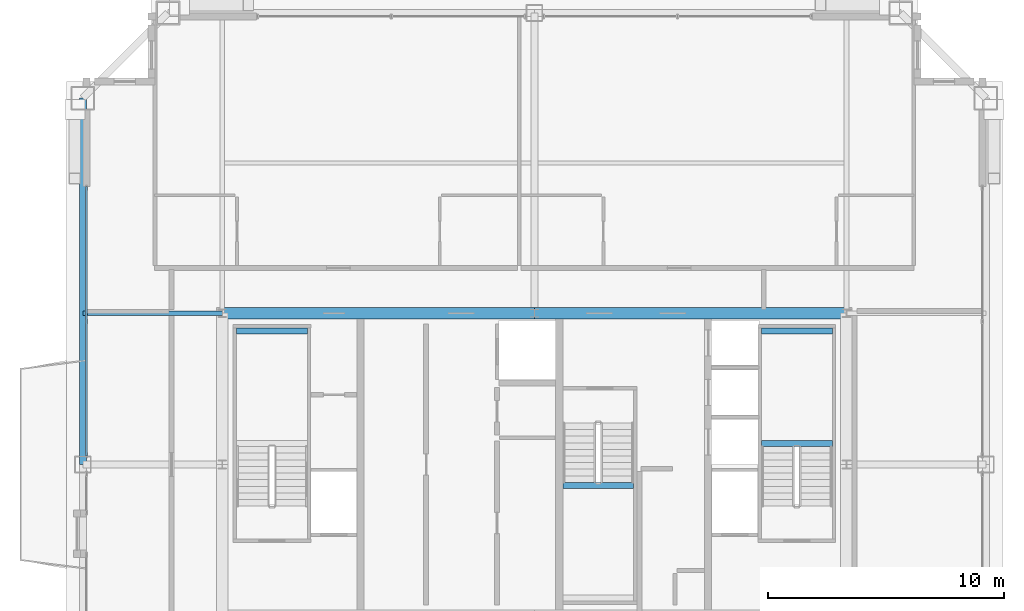
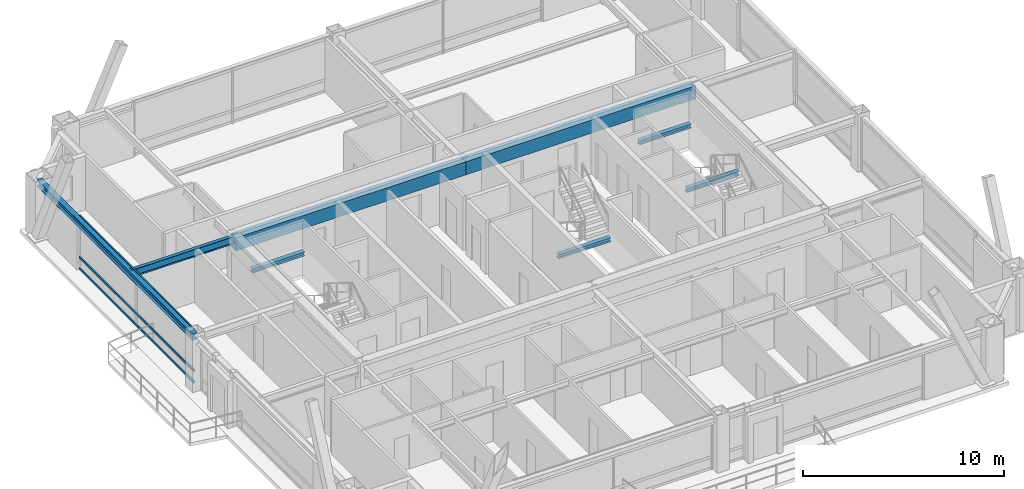
# One storey, part 10 of 33: 8 beams, 3 members, 1 element without a shape of its own.
"""IFC4 building model written with IfcOpenShell, lengths in metres."""

import ifcopenshell
import ifcopenshell.guid

model = None  # the IFC model being written
_history = None  # IfcOwnerHistory: only IFC2X3 demands one
_inside = {}  # id of a spatial element -> (the spatial element, [elements in it])
_under = {}  # id of a project, library or spatial element -> (it, [spatial elements below it])
_declared = {}  # id of a project -> (the project, [libraries it declares])
_typed = {}  # id of a type object -> (the type object, [elements of that type])
_made_of = {}  # id of a material, layer set ... -> (it, [elements and type objects made of it])


def new_model(schema):
    """Start an empty IFC model of exactly this schema.

    Asked for "IFC4X3", IfcOpenShell would pick the latest addendum, in which some entities
    have other attributes; the version numbers below select the first issue.
    IFC2X3 requires an IfcOwnerHistory on every rooted entity: one is made here for all.
    """
    global model, _history
    if schema == "IFC4X3":
        model = ifcopenshell.file(schema_version=(4, 3, 0, 0))
    else:
        model = ifcopenshell.file(schema=schema)
    _inside.clear()
    _under.clear()
    _declared.clear()
    _typed.clear()
    _made_of.clear()
    _history = None
    if model.schema == "IFC2X3":
        org = make("IfcOrganization", Name="unknown")
        user = make(
            "IfcPersonAndOrganization",
            ThePerson=make("IfcPerson", FamilyName="unknown"),
            TheOrganization=org,
        )
        app = make(
            "IfcApplication",
            ApplicationDeveloper=org,
            Version="unknown",
            ApplicationFullName="unknown",
            ApplicationIdentifier="unknown",
        )
        _history = make(
            "IfcOwnerHistory",
            OwningUser=user,
            OwningApplication=app,
            ChangeAction="ADDED",
            CreationDate=0,
        )
    return model


def make(cls, **values):
    """One entity of the class cls with the attributes given. An attribute that is None is left unset."""
    return model.create_entity(
        cls, **{name: value for name, value in values.items() if value is not None}
    )


def rooted(cls, **values):
    """An entity with a GlobalId (a new one), such as an element, a storey or a relation."""
    return make(cls, GlobalId=ifcopenshell.guid.new(), OwnerHistory=_history, **values)


def si_unit(unit_type, name, prefix=None):
    """IfcSIUnit, for example si_unit("LENGTHUNIT", "METRE", prefix="MILLI")."""
    return make("IfcSIUnit", UnitType=unit_type, Prefix=prefix, Name=name)


def assignment(units):
    """IfcUnitAssignment: the units of a project."""
    return None if units is None else make("IfcUnitAssignment", Units=units)


def point(xyz):
    """IfcCartesianPoint."""
    return None if xyz is None else make("IfcCartesianPoint", Coordinates=xyz)


def direction(xyz):
    """IfcDirection."""
    return None if xyz is None else make("IfcDirection", DirectionRatios=xyz)


def frame(location, z_axis=None, x_axis=None):
    """IfcAxis2Placement3D, a coordinate frame: its origin and axes. An axis left out is left unset."""
    return make(
        "IfcAxis2Placement3D",
        Location=point(location),
        Axis=direction(z_axis),
        RefDirection=direction(x_axis),
    )


def frame_2d(location, x_axis=None):
    """IfcAxis2Placement2D, a coordinate frame in the plane: its origin and x axis."""
    return make(
        "IfcAxis2Placement2D", Location=point(location), RefDirection=direction(x_axis)
    )


def origin():
    """The frame at (0, 0, 0) with its axes left unset."""
    return frame((0.0, 0.0, 0.0))


def origin_2d():
    """The frame at (0, 0) in the plane with its x axis left unset."""
    return frame_2d((0.0, 0.0))


def place(relative_to, where):
    """IfcLocalPlacement: puts the frame where relative to a parent placement (None: the world)."""
    return make(
        "IfcLocalPlacement", PlacementRelTo=relative_to, RelativePlacement=where
    )


def context(
    kind, dimensions, precision=None, world=None, true_north=None, identifier=None
):
    """IfcGeometricRepresentationContext, for example the 3D "Model" context."""
    return make(
        "IfcGeometricRepresentationContext",
        ContextIdentifier=identifier,
        ContextType=kind,
        CoordinateSpaceDimension=dimensions,
        Precision=precision,
        WorldCoordinateSystem=world,
        TrueNorth=true_north,
    )


def subcontext(parent, identifier, kind, view, scale=None):
    """IfcGeometricRepresentationSubContext, for example "Body" below "Model"."""
    return make(
        "IfcGeometricRepresentationSubContext",
        ContextIdentifier=identifier,
        ContextType=kind,
        ParentContext=parent,
        TargetScale=scale,
        TargetView=view,
    )


def project(units=None, contexts=None):
    """IfcProject with its units and contexts."""
    return rooted(
        "IfcProject",
        Name="project",
        RepresentationContexts=contexts,
        UnitsInContext=assignment(units),
    )


def spatial(cls, under=None, at=None, **own):
    """A site, building, storey or space (cls), placed at a placement, below another one or the project."""
    s = rooted(cls, ObjectPlacement=at, **own)
    if under is not None:
        _under.setdefault(under.id(), (under, []))[1].append(s)
    return s


def profile(cls, at=None, kind="AREA", **sizes):
    """A parametric profile (cls). Its sizes go by their IFC names, for example OverallWidth=200.0."""
    return make(cls, ProfileType=kind, Position=at, **sizes)


def rectangle(**sizes):
    """IfcRectangleProfileDef."""
    return profile("IfcRectangleProfileDef", **sizes)


def hollow_rectangle(**sizes):
    """IfcRectangleHollowProfileDef."""
    return profile("IfcRectangleHollowProfileDef", **sizes)


def i_section(**sizes):
    """IfcIShapeProfileDef."""
    return profile("IfcIShapeProfileDef", **sizes)


def extrude(swept, where, along, depth):
    """IfcExtrudedAreaSolid: the profile swept, set in the frame where, extruded along a direction by depth."""
    return make(
        "IfcExtrudedAreaSolid",
        SweptArea=swept,
        Position=where,
        ExtrudedDirection=direction(along),
        Depth=depth,
    )


def shape(context_of_items, identifier, shape_type, items):
    """IfcShapeRepresentation: the items that make up one representation, for example the "Body"."""
    return make(
        "IfcShapeRepresentation",
        ContextOfItems=context_of_items,
        RepresentationIdentifier=identifier,
        RepresentationType=shape_type,
        Items=items,
    )


def source(mapping_origin, context_of_items, identifier, shape_type, items):
    """IfcRepresentationMap: a shape defined once, which mapped items show again and again."""
    return make(
        "IfcRepresentationMap",
        MappingOrigin=mapping_origin,
        MappedRepresentation=shape(context_of_items, identifier, shape_type, items),
    )


def transform(
    local_origin,
    x_axis=None,
    y_axis=None,
    z_axis=None,
    scale=None,
    scale2=None,
    scale3=None,
    uniform=True,
):
    """IfcCartesianTransformationOperator3D, or its non-uniform kind. x_axis, y_axis, z_axis: its Axis1, 2, 3."""
    if uniform:
        return make(
            "IfcCartesianTransformationOperator3D",
            Axis1=direction(x_axis),
            Axis2=direction(y_axis),
            LocalOrigin=point(local_origin),
            Scale=scale,
            Axis3=direction(z_axis),
        )
    return make(
        "IfcCartesianTransformationOperator3DnonUniform",
        Axis1=direction(x_axis),
        Axis2=direction(y_axis),
        LocalOrigin=point(local_origin),
        Scale=scale,
        Axis3=direction(z_axis),
        Scale2=scale2,
        Scale3=scale3,
    )


def mapped(mapping_source, mapping_target):
    """IfcMappedItem: shows the shape of a source again, moved by a transform."""
    return make(
        "IfcMappedItem", MappingSource=mapping_source, MappingTarget=mapping_target
    )


def material(Name=None, Category=None):
    """IfcMaterial."""
    return make("IfcMaterial", Name=Name, Category=Category)


def layer(
    of_material, thickness, ventilated=None, Name=None, Category=None, Priority=None
):
    """IfcMaterialLayer: one layer of a wall or slab, of a material (None: an air gap)."""
    return make(
        "IfcMaterialLayer",
        Material=of_material,
        LayerThickness=thickness,
        IsVentilated=ventilated,
        Name=Name,
        Category=Category,
        Priority=Priority,
    )


def layer_set(layers, Name=None):
    """IfcMaterialLayerSet."""
    return make("IfcMaterialLayerSet", MaterialLayers=layers, LayerSetName=Name)


def material_profile(
    of_material, cross_section, Name=None, Category=None, Priority=None
):
    """IfcMaterialProfile: a cross section and its material."""
    return make(
        "IfcMaterialProfile",
        Name=Name,
        Material=of_material,
        Profile=cross_section,
        Priority=Priority,
        Category=Category,
    )


def profile_set(profiles, Name=None, composite=None):
    """IfcMaterialProfileSet."""
    return make(
        "IfcMaterialProfileSet",
        Name=Name,
        MaterialProfiles=profiles,
        CompositeProfile=composite,
    )


def made_of(thing, what):
    """Note that an element or type object is made of a material, layer set ...; save() writes the relation."""
    if what is not None:
        _made_of.setdefault(what.id(), (what, []))[1].append(thing)
    return thing


def type_object(cls, material=None, **own):
    """A type object (cls), such as IfcWallType, which elements share."""
    return made_of(rooted(cls, **own), material)


def element(
    cls,
    number,
    at=None,
    inside=None,
    cuts=None,
    type_object=None,
    material=None,
    context=None,
    identifier="Body",
    shape_type=None,
    held_by="IfcProductDefinitionShape",
    body=None,
    shapes=None,
    **own,
):
    """One element of the class cls, such as IfcWall. Its Tag is "e" and its number.

    at: its placement. inside: the storey or other place that contains it. cuts: it is an
    opening in that element (IfcRelVoidsElement). A single representation is given by context,
    identifier, shape_type and body (its items); several are given by shapes. held_by: the class
    of the entity that holds the representations. save() writes the other relations.
    """
    e = rooted(cls, Tag="e%d" % number, ObjectPlacement=at, **own)
    if body is not None:
        shapes = [shape(context, identifier, shape_type, body)]
    if shapes is not None:
        e.Representation = make(held_by, Representations=shapes)
    if inside is not None:
        _inside.setdefault(inside.id(), (inside, []))[1].append(e)
    if cuts is not None:
        rooted(
            "IfcRelVoidsElement", RelatingBuildingElement=cuts, RelatedOpeningElement=e
        )
    if type_object is not None:
        _typed.setdefault(type_object.id(), (type_object, []))[1].append(e)
    return made_of(e, material)


def aggregate(whole, parts):
    """IfcRelAggregates: a whole, such as a stair, and the parts it consists of."""
    return rooted("IfcRelAggregates", RelatingObject=whole, RelatedObjects=parts)


def save(model, path):
    """Write the relations noted so far, then the file.

    IfcRelAggregates (storeys below a building ...), IfcRelContainedInSpatialStructure (elements
    in a storey), IfcRelDefinesByType, IfcRelAssociatesMaterial and IfcRelDeclares: one each for
    every whole, place, type object, material and project.
    """
    for whole, parts in _under.values():
        aggregate(whole, parts)
    for where, things in _inside.values():
        rooted(
            "IfcRelContainedInSpatialStructure",
            RelatedElements=things,
            RelatingStructure=where,
        )
    for kind, things in _typed.values():
        rooted("IfcRelDefinesByType", RelatedObjects=things, RelatingType=kind)
    for what, things in _made_of.values():
        rooted("IfcRelAssociatesMaterial", RelatedObjects=things, RelatingMaterial=what)
    for by, libraries in _declared.values():
        rooted("IfcRelDeclares", RelatingContext=by, RelatedDefinitions=libraries)
    model.write(path)


model = new_model("IFC4")

# Units and contexts
model_context = context("Model", 3, precision=1e-05, world=origin(), true_north=direction((0.0, 1.0)))
body_context = subcontext(model_context, "Body", "Model", "MODEL_VIEW")
ifc_project = project(units=[si_unit("LENGTHUNIT", "METRE"), si_unit("AREAUNIT", "SQUARE_METRE"), si_unit("VOLUMEUNIT", "CUBIC_METRE"), si_unit("PLANEANGLEUNIT", "RADIAN"), si_unit("MASSUNIT", "GRAM", prefix="KILO"), si_unit("THERMODYNAMICTEMPERATUREUNIT", "KELVIN"), si_unit("POWERUNIT", "WATT")], contexts=[model_context])

# Site, building, storey
site_placement = place(None, origin())
site = spatial("IfcSite", under=ifc_project, at=site_placement, CompositionType="ELEMENT")
building_placement = place(site_placement, origin())
building = spatial("IfcBuilding", under=site, at=building_placement, Name="Yuzanri Waterfront Tower", CompositionType="ELEMENT")
storey_placement = place(building_placement, frame((0.0, 0.0, 321.699951171875)))
storey = spatial("IfcBuildingStorey", under=building, at=storey_placement, Name="L86", CompositionType="ELEMENT", Elevation=321.699951171875)

# Beams
ifc_material_1 = material(Name="Concrete C50", Category="concrete")
ifc_material_profile_1 = material_profile(ifc_material_1, rectangle(XDim=0.5, YDim=0.800048828125, at=origin_2d()), Name="RC 500x800")
ifc_profile_set_1 = profile_set([ifc_material_profile_1], Name="Concrete C50")
beam_type_1 = type_object("IfcBeamType", Name="Core Coupling Lintel Concrete C50 500x800", PredefinedType="LINTEL", material=ifc_profile_set_1)
shared_shape_1 = source(origin(), body_context, "Body", "SweptSolid", [
    extrude(rectangle(XDim=0.5, YDim=0.800048828125, at=origin_2d()), origin(), (0.0, 0.0, 1.0), 13.199951171875),
])
for number, where, z_axis, x_axis, name in (
    (1, (23.800048828125, 32.199951171875, 2.880126953125), (1.0, 0.0, 0.0), (0.0, 1.0, 0.0), "L86 Core Tie Beam CN1"),
    (2, (37.0, 32.199951171875, 2.880126953125), (1.0, 0.0, 0.0), (0.0, 1.0, 0.0), "L86 Core Tie Beam CN2"),
):
    element("IfcBeam", number, at=place(storey_placement, frame(where, z_axis=z_axis, x_axis=x_axis)), inside=storey, type_object=beam_type_1, Name=name, PredefinedType="LINTEL", context=body_context, shape_type="MappedRepresentation", body=[
        mapped(shared_shape_1, transform((0.0, 0.0, 0.0), scale=1.0)),
    ])
ifc_material_2 = material(Name="Steel Q355B", Category="steel")
ifc_material_profile_2 = material_profile(ifc_material_2, i_section(OverallWidth=0.300048828125, OverallDepth=0.389892578125, WebThickness=0.010009765625, FlangeThickness=0.01611328125, at=origin_2d()), Name="HM 390x300x10x16")
ifc_profile_set_2 = profile_set([ifc_material_profile_2], Name="Steel Q355B")
beam_type_2 = type_object("IfcBeamType", Name="Perimeter Spandrel Q355B HM 390x300", PredefinedType="SPANDREL", material=ifc_profile_set_2)
shared_shape_2 = source(origin(), body_context, "Body", "SweptSolid", [
    extrude(i_section(OverallWidth=0.300048828125, OverallDepth=0.389892578125, WebThickness=0.010009765625, FlangeThickness=0.01611328125, at=origin_2d()), origin(), (0.0, 0.0, 1.0), 15.5),
])
beam_1_placement = place(storey_placement, frame((17.89990234375, 41.300048828125, 3.0849609375), z_axis=(0.0, -1.0, 0.0), x_axis=(1.0, 0.0, 0.0)))
element("IfcBeam", 3, at=beam_1_placement, inside=storey, type_object=beam_type_2, Name="L86 Perimeter Spandrel W3-W2", PredefinedType="SPANDREL", context=body_context, shape_type="MappedRepresentation", body=[
    mapped(shared_shape_2, transform((0.0, 0.0, 0.0), scale=1.0)),
])
ifc_material_3 = material(Name="Steel Q355B", Category="steel")
ifc_material_profile_3 = material_profile(ifc_material_3, i_section(OverallWidth=0.199951171875, OverallDepth=0.449951171875, WebThickness=0.009033203125, FlangeThickness=0.013916015625, at=origin_2d()), Name="HN 450x200x9x14")
ifc_profile_set_3 = profile_set([ifc_material_profile_3], Name="Steel Q355B")
beam_type_3 = type_object("IfcBeamType", Name="Secondary Floor Beam Q355B HN 450x200", PredefinedType="BEAM", material=ifc_profile_set_3)
shared_shape_3 = source(origin(), body_context, "Body", "SweptSolid", [
    extrude(i_section(OverallWidth=0.199951171875, OverallDepth=0.449951171875, WebThickness=0.009033203125, FlangeThickness=0.013916015625, at=origin_2d()), origin(), (0.0, 0.0, 1.0), 5.900146484375),
])
beam_2_placement = place(storey_placement, frame((23.800048828125, 32.199951171875, 3.054931640625), z_axis=(-1.0, 0.0, 0.0), x_axis=(0.0, -1.0, 0.0)))
element("IfcBeam", 4, at=beam_2_placement, inside=storey, type_object=beam_type_3, Name="L86 West-North Core Line Beam", PredefinedType="BEAM", context=body_context, shape_type="MappedRepresentation", body=[
    mapped(shared_shape_3, transform((0.0, 0.0, 0.0), scale=1.0)),
])

# Curtain wall, members
ifc_material_4 = material(Name="Anodized Architectural Bronze", Category="metal")
ifc_layer = layer(ifc_material_4, 0.159912109375)
ifc_layer_set = layer_set([ifc_layer], Name="Anodized Architectural Bronze")
curtain_wall_type = type_object("IfcCurtainWallType", Name="Anodized Bronze High-Rise Penthouse High-Wind Unitized Curtain Wall 6900", PredefinedType="NOTDEFINED", material=ifc_layer_set)
curtain_wall_placement = place(storey_placement, origin())
curtain_wall = element("IfcCurtainWall", 5, at=curtain_wall_placement, inside=storey, type_object=curtain_wall_type, Name="L86 Curtain Wall CW-L86-WR", PredefinedType="NOTDEFINED")
ifc_material_5 = material(Name="Anodized Architectural Bronze", Category="metal")
ifc_material_profile_4 = material_profile(ifc_material_5, hollow_rectangle(XDim=0.074951171875, YDim=0.14990234375, WallThickness=0.00390625, at=origin_2d()), Name="CWT 75x150")
ifc_profile_set_4 = profile_set([ifc_material_profile_4], Name="Anodized Architectural Bronze")
member_type = type_object("IfcMemberType", Name="Anodized Bronze Primary Curtain-Wall Transom 75x150", PredefinedType="USERDEFINED", material=ifc_profile_set_4)
shared_shape_4 = source(origin(), body_context, "Body", "SweptSolid", [
    extrude(hollow_rectangle(XDim=0.074951171875, YDim=0.14990234375, WallThickness=0.00390625, at=origin_2d()), origin(), (0.0, 0.0, 1.0), 11.400146484375),
])
member_1_placement = place(storey_placement, frame((18.050048828125, 26.14990234375, 0.050048828125), z_axis=(0.0, 1.0, 0.0), x_axis=(-1.0, 0.0, 0.0)))
member_1 = element("IfcMember", 6, at=member_1_placement, type_object=member_type, Name="CW-L86-WR Transom 1", ObjectType="TRANSOM", PredefinedType="USERDEFINED", context=body_context, shape_type="MappedRepresentation", body=[
    mapped(shared_shape_4, transform((0.0, 0.0, 0.0), scale=1.0)),
])
member_2_placement = place(storey_placement, frame((18.050048828125, 26.14990234375, 0.754150390625), z_axis=(0.0, 1.0, 0.0), x_axis=(-1.0, 0.0, 0.0)))
member_2 = element("IfcMember", 7, at=member_2_placement, type_object=member_type, Name="CW-L86-WR Transom 2", ObjectType="TRANSOM", PredefinedType="USERDEFINED", context=body_context, shape_type="MappedRepresentation", body=[
    mapped(shared_shape_4, transform((0.0, 0.0, 0.0), scale=1.0)),
])
member_3_placement = place(storey_placement, frame((18.050048828125, 26.14990234375, 3.22998046875), z_axis=(0.0, 1.0, 0.0), x_axis=(-1.0, 0.0, 0.0)))
member_3 = element("IfcMember", 8, at=member_3_placement, type_object=member_type, Name="CW-L86-WR Transom 3", ObjectType="TRANSOM", PredefinedType="USERDEFINED", context=body_context, shape_type="MappedRepresentation", body=[
    mapped(shared_shape_4, transform((0.0, 0.0, 0.0), scale=1.0)),
])
aggregate(curtain_wall, [member_1, member_2, member_3])

# Beams
ifc_material_6 = material(Name="Steel Q355B", Category="steel")
ifc_material_profile_5 = material_profile(ifc_material_6, i_section(OverallWidth=0.25, OverallDepth=0.25, WebThickness=0.009033203125, FlangeThickness=0.013916015625, at=origin_2d()), Name="HW 250x250x9x14")
ifc_profile_set_5 = profile_set([ifc_material_profile_5], Name="Steel Q355B")
beam_type_4 = type_object("IfcBeamType", Name="Stair Landing Support Beam Q355B HW 250x250", PredefinedType="BEAM", material=ifc_profile_set_5)
shared_shape_5 = source(origin(), body_context, "Body", "SweptSolid", [
    extrude(i_section(OverallWidth=0.25, OverallDepth=0.25, WebThickness=0.009033203125, FlangeThickness=0.013916015625, at=origin_2d()), origin(), (0.0, 0.0, 1.0), 3.0),
])
for number, where, z_axis, x_axis, name in (
    (9, (24.39990234375, 31.449951171875, 1.425048828125), (1.0, 0.0, 0.0), (0.0, 1.0, 0.0), "L86 Stair Landing Support Beam ST-01-L86-L1-2"),
    (10, (46.60009765625, 26.68994140625, 1.425048828125), (1.0, 0.0, 0.0), (0.0, 1.0, 0.0), "L86 Stair Landing Support Beam ST-02-L86-L1-1"),
    (11, (46.60009765625, 31.449951171875, 1.425048828125), (1.0, 0.0, 0.0), (0.0, 1.0, 0.0), "L86 Stair Landing Support Beam ST-02-L86-L1-2"),
    (12, (38.199951171875, 24.909912109375, 1.425048828125), (1.0, 0.0, 0.0), (0.0, 1.0, 0.0), "L86 Stair Landing Support Beam ST-03-L86-L1-2"),
):
    element("IfcBeam", number, at=place(storey_placement, frame(where, z_axis=z_axis, x_axis=x_axis)), inside=storey, type_object=beam_type_4, Name=name, PredefinedType="BEAM", context=body_context, shape_type="MappedRepresentation", body=[
        mapped(shared_shape_5, transform((0.0, 0.0, 0.0), scale=1.0)),
    ])

save(model, "model.ifc")
